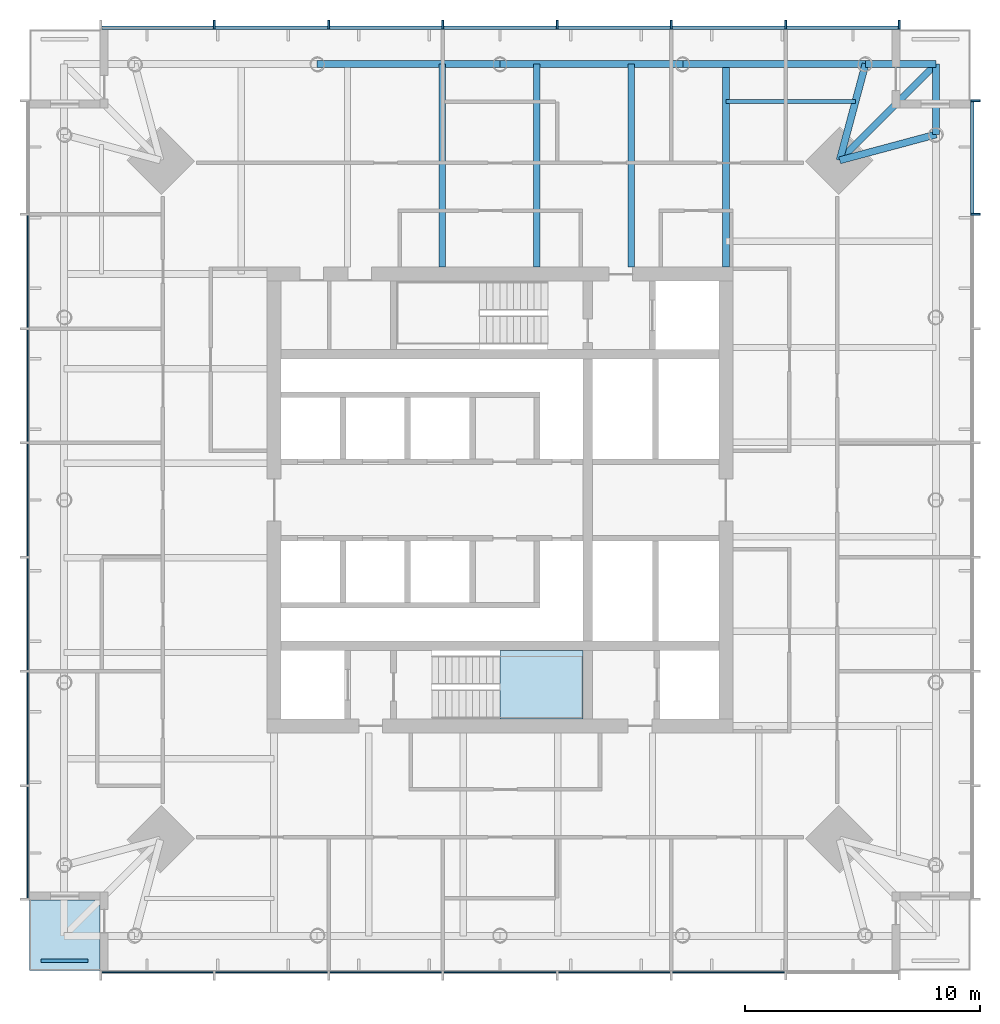
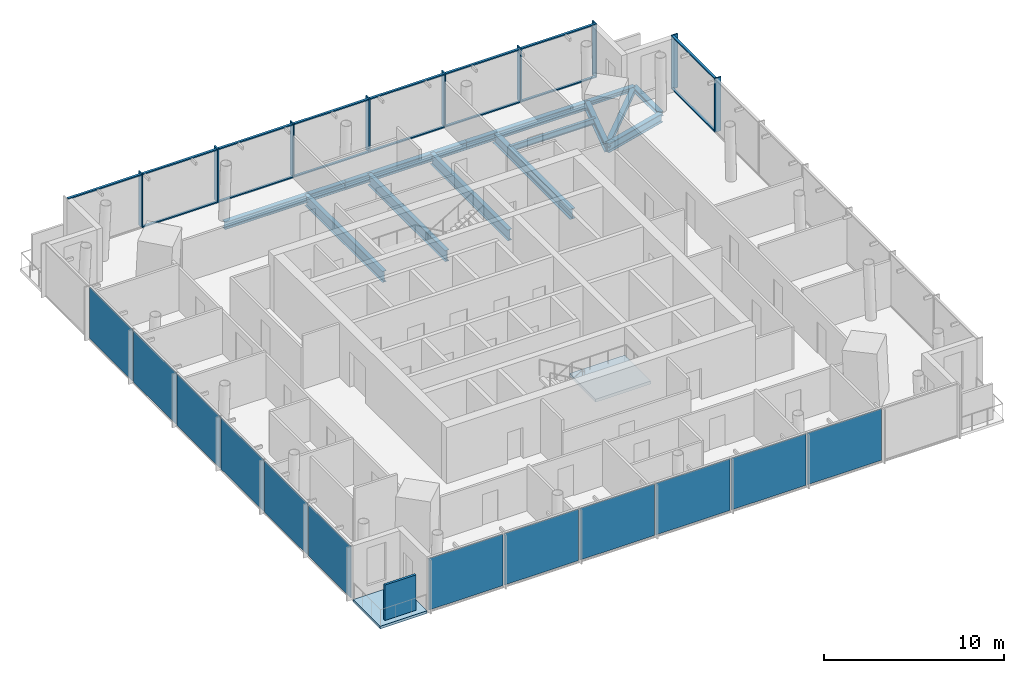
# One storey, part 3 of 9: 24 members, 13 beams, 13 plates, 2 slabs, 5 elements without a shape of their own.
"""IFC4 building model written with IfcOpenShell, lengths in metres."""

import ifcopenshell
import ifcopenshell.guid

model = None  # the IFC model being written
_history = None  # IfcOwnerHistory: only IFC2X3 demands one
_inside = {}  # id of a spatial element -> (the spatial element, [elements in it])
_under = {}  # id of a project, library or spatial element -> (it, [spatial elements below it])
_declared = {}  # id of a project -> (the project, [libraries it declares])
_typed = {}  # id of a type object -> (the type object, [elements of that type])
_made_of = {}  # id of a material, layer set ... -> (it, [elements and type objects made of it])


def new_model(schema):
    """Start an empty IFC model of exactly this schema.

    Asked for "IFC4X3", IfcOpenShell would pick the latest addendum, in which some entities
    have other attributes; the version numbers below select the first issue.
    IFC2X3 requires an IfcOwnerHistory on every rooted entity: one is made here for all.
    """
    global model, _history
    if schema == "IFC4X3":
        model = ifcopenshell.file(schema_version=(4, 3, 0, 0))
    else:
        model = ifcopenshell.file(schema=schema)
    _inside.clear()
    _under.clear()
    _declared.clear()
    _typed.clear()
    _made_of.clear()
    _history = None
    if model.schema == "IFC2X3":
        org = make("IfcOrganization", Name="unknown")
        user = make(
            "IfcPersonAndOrganization",
            ThePerson=make("IfcPerson", FamilyName="unknown"),
            TheOrganization=org,
        )
        app = make(
            "IfcApplication",
            ApplicationDeveloper=org,
            Version="unknown",
            ApplicationFullName="unknown",
            ApplicationIdentifier="unknown",
        )
        _history = make(
            "IfcOwnerHistory",
            OwningUser=user,
            OwningApplication=app,
            ChangeAction="ADDED",
            CreationDate=0,
        )
    return model


def make(cls, **values):
    """One entity of the class cls with the attributes given. An attribute that is None is left unset."""
    return model.create_entity(
        cls, **{name: value for name, value in values.items() if value is not None}
    )


def rooted(cls, **values):
    """An entity with a GlobalId (a new one), such as an element, a storey or a relation."""
    return make(cls, GlobalId=ifcopenshell.guid.new(), OwnerHistory=_history, **values)


def si_unit(unit_type, name, prefix=None):
    """IfcSIUnit, for example si_unit("LENGTHUNIT", "METRE", prefix="MILLI")."""
    return make("IfcSIUnit", UnitType=unit_type, Prefix=prefix, Name=name)


def assignment(units):
    """IfcUnitAssignment: the units of a project."""
    return None if units is None else make("IfcUnitAssignment", Units=units)


def point(xyz):
    """IfcCartesianPoint."""
    return None if xyz is None else make("IfcCartesianPoint", Coordinates=xyz)


def direction(xyz):
    """IfcDirection."""
    return None if xyz is None else make("IfcDirection", DirectionRatios=xyz)


def frame(location, z_axis=None, x_axis=None):
    """IfcAxis2Placement3D, a coordinate frame: its origin and axes. An axis left out is left unset."""
    return make(
        "IfcAxis2Placement3D",
        Location=point(location),
        Axis=direction(z_axis),
        RefDirection=direction(x_axis),
    )


def frame_2d(location, x_axis=None):
    """IfcAxis2Placement2D, a coordinate frame in the plane: its origin and x axis."""
    return make(
        "IfcAxis2Placement2D", Location=point(location), RefDirection=direction(x_axis)
    )


def origin():
    """The frame at (0, 0, 0) with its axes left unset."""
    return frame((0.0, 0.0, 0.0))


def origin_2d():
    """The frame at (0, 0) in the plane with its x axis left unset."""
    return frame_2d((0.0, 0.0))


def place(relative_to, where):
    """IfcLocalPlacement: puts the frame where relative to a parent placement (None: the world)."""
    return make(
        "IfcLocalPlacement", PlacementRelTo=relative_to, RelativePlacement=where
    )


def context(
    kind, dimensions, precision=None, world=None, true_north=None, identifier=None
):
    """IfcGeometricRepresentationContext, for example the 3D "Model" context."""
    return make(
        "IfcGeometricRepresentationContext",
        ContextIdentifier=identifier,
        ContextType=kind,
        CoordinateSpaceDimension=dimensions,
        Precision=precision,
        WorldCoordinateSystem=world,
        TrueNorth=true_north,
    )


def subcontext(parent, identifier, kind, view, scale=None):
    """IfcGeometricRepresentationSubContext, for example "Body" below "Model"."""
    return make(
        "IfcGeometricRepresentationSubContext",
        ContextIdentifier=identifier,
        ContextType=kind,
        ParentContext=parent,
        TargetScale=scale,
        TargetView=view,
    )


def project(units=None, contexts=None):
    """IfcProject with its units and contexts."""
    return rooted(
        "IfcProject",
        Name="project",
        RepresentationContexts=contexts,
        UnitsInContext=assignment(units),
    )


def spatial(cls, under=None, at=None, **own):
    """A site, building, storey or space (cls), placed at a placement, below another one or the project."""
    s = rooted(cls, ObjectPlacement=at, **own)
    if under is not None:
        _under.setdefault(under.id(), (under, []))[1].append(s)
    return s


def polyline(points):
    """IfcPolyline through the points."""
    return make("IfcPolyline", Points=[point(p) for p in points])


def profile(cls, at=None, kind="AREA", **sizes):
    """A parametric profile (cls). Its sizes go by their IFC names, for example OverallWidth=200.0."""
    return make(cls, ProfileType=kind, Position=at, **sizes)


def rectangle(**sizes):
    """IfcRectangleProfileDef."""
    return profile("IfcRectangleProfileDef", **sizes)


def i_section(**sizes):
    """IfcIShapeProfileDef."""
    return profile("IfcIShapeProfileDef", **sizes)


def outline(outer, holes=None, kind="AREA"):
    """IfcArbitraryClosedProfileDef: a profile drawn as a closed curve; with holes, ...WithVoids."""
    if holes is None:
        return make("IfcArbitraryClosedProfileDef", ProfileType=kind, OuterCurve=outer)
    return make(
        "IfcArbitraryProfileDefWithVoids",
        ProfileType=kind,
        OuterCurve=outer,
        InnerCurves=holes,
    )


def extrude(swept, where, along, depth):
    """IfcExtrudedAreaSolid: the profile swept, set in the frame where, extruded along a direction by depth."""
    return make(
        "IfcExtrudedAreaSolid",
        SweptArea=swept,
        Position=where,
        ExtrudedDirection=direction(along),
        Depth=depth,
    )


def shape(context_of_items, identifier, shape_type, items):
    """IfcShapeRepresentation: the items that make up one representation, for example the "Body"."""
    return make(
        "IfcShapeRepresentation",
        ContextOfItems=context_of_items,
        RepresentationIdentifier=identifier,
        RepresentationType=shape_type,
        Items=items,
    )


def material(Name=None, Category=None):
    """IfcMaterial."""
    return make("IfcMaterial", Name=Name, Category=Category)


def layer(
    of_material, thickness, ventilated=None, Name=None, Category=None, Priority=None
):
    """IfcMaterialLayer: one layer of a wall or slab, of a material (None: an air gap)."""
    return make(
        "IfcMaterialLayer",
        Material=of_material,
        LayerThickness=thickness,
        IsVentilated=ventilated,
        Name=Name,
        Category=Category,
        Priority=Priority,
    )


def layer_set(layers, Name=None):
    """IfcMaterialLayerSet."""
    return make("IfcMaterialLayerSet", MaterialLayers=layers, LayerSetName=Name)


def material_profile(
    of_material, cross_section, Name=None, Category=None, Priority=None
):
    """IfcMaterialProfile: a cross section and its material."""
    return make(
        "IfcMaterialProfile",
        Name=Name,
        Material=of_material,
        Profile=cross_section,
        Priority=Priority,
        Category=Category,
    )


def profile_set(profiles, Name=None, composite=None):
    """IfcMaterialProfileSet."""
    return make(
        "IfcMaterialProfileSet",
        Name=Name,
        MaterialProfiles=profiles,
        CompositeProfile=composite,
    )


def made_of(thing, what):
    """Note that an element or type object is made of a material, layer set ...; save() writes the relation."""
    if what is not None:
        _made_of.setdefault(what.id(), (what, []))[1].append(thing)
    return thing


def type_object(cls, material=None, **own):
    """A type object (cls), such as IfcWallType, which elements share."""
    return made_of(rooted(cls, **own), material)


def element(
    cls,
    number,
    at=None,
    inside=None,
    cuts=None,
    type_object=None,
    material=None,
    context=None,
    identifier="Body",
    shape_type=None,
    held_by="IfcProductDefinitionShape",
    body=None,
    shapes=None,
    **own,
):
    """One element of the class cls, such as IfcWall. Its Tag is "e" and its number.

    at: its placement. inside: the storey or other place that contains it. cuts: it is an
    opening in that element (IfcRelVoidsElement). A single representation is given by context,
    identifier, shape_type and body (its items); several are given by shapes. held_by: the class
    of the entity that holds the representations. save() writes the other relations.
    """
    e = rooted(cls, Tag="e%d" % number, ObjectPlacement=at, **own)
    if body is not None:
        shapes = [shape(context, identifier, shape_type, body)]
    if shapes is not None:
        e.Representation = make(held_by, Representations=shapes)
    if inside is not None:
        _inside.setdefault(inside.id(), (inside, []))[1].append(e)
    if cuts is not None:
        rooted(
            "IfcRelVoidsElement", RelatingBuildingElement=cuts, RelatedOpeningElement=e
        )
    if type_object is not None:
        _typed.setdefault(type_object.id(), (type_object, []))[1].append(e)
    return made_of(e, material)


def aggregate(whole, parts):
    """IfcRelAggregates: a whole, such as a stair, and the parts it consists of."""
    return rooted("IfcRelAggregates", RelatingObject=whole, RelatedObjects=parts)


def save(model, path):
    """Write the relations noted so far, then the file.

    IfcRelAggregates (storeys below a building ...), IfcRelContainedInSpatialStructure (elements
    in a storey), IfcRelDefinesByType, IfcRelAssociatesMaterial and IfcRelDeclares: one each for
    every whole, place, type object, material and project.
    """
    for whole, parts in _under.values():
        aggregate(whole, parts)
    for where, things in _inside.values():
        rooted(
            "IfcRelContainedInSpatialStructure",
            RelatedElements=things,
            RelatingStructure=where,
        )
    for kind, things in _typed.values():
        rooted("IfcRelDefinesByType", RelatedObjects=things, RelatingType=kind)
    for what, things in _made_of.values():
        rooted("IfcRelAssociatesMaterial", RelatedObjects=things, RelatingMaterial=what)
    for by, libraries in _declared.values():
        rooted("IfcRelDeclares", RelatingContext=by, RelatedDefinitions=libraries)
    model.write(path)


model = new_model("IFC4")

# Units and contexts
model_context = context("Model", 3, precision=1e-05, world=origin(), true_north=direction((0.0, 1.0)))
body_context = subcontext(model_context, "Body", "Model", "MODEL_VIEW")
ifc_project = project(units=[si_unit("LENGTHUNIT", "METRE"), si_unit("AREAUNIT", "SQUARE_METRE"), si_unit("VOLUMEUNIT", "CUBIC_METRE"), si_unit("PLANEANGLEUNIT", "RADIAN"), si_unit("MASSUNIT", "GRAM", prefix="KILO")], contexts=[model_context])

# Site, building, storey
site_placement = place(None, origin())
site = spatial("IfcSite", under=ifc_project, at=site_placement, CompositionType="ELEMENT")
building_placement = place(site_placement, origin())
building = spatial("IfcBuilding", under=site, at=building_placement, Name="Ostroluk Exchange", CompositionType="ELEMENT")
storey_placement = place(building_placement, frame((0.0, 0.0, 192.0)))
storey = spatial("IfcBuildingStorey", under=building, at=storey_placement, Name="L49", CompositionType="ELEMENT", Elevation=192.0)

# Beams
ifc_material_1 = material(Name="Steel S355", Category="steel")
ifc_material_profile_1 = material_profile(ifc_material_1, i_section(OverallWidth=0.300048828125, OverallDepth=0.300048828125, WebThickness=0.010986328125, FlangeThickness=0.01904296875, FilletRadius=0.027099609375, at=origin_2d()), Name="HEB 300")
ifc_profile_set_1 = profile_set([ifc_material_profile_1], Name="Steel S355")
beam_type_1 = type_object("IfcBeamType", Name="Balcony beam HEB 300", PredefinedType="BEAM", material=ifc_profile_set_1)
for number, where, z_axis, x_axis, name in (
    (1, (63.53564453125, 61.53564453125, -0.330078125), (0.0, 1.0, 0.0), (-1.0, 0.0, 0.0), "T1 east balcony beam a"),
    (2, (60.53564453125, 64.53564453125, -0.330078125), (1.0, 0.0, 0.0), (0.0, 1.0, 0.0), "T1 east balcony beam b"),
):
    element("IfcBeam", number, at=place(storey_placement, frame(where, z_axis=z_axis, x_axis=x_axis)), inside=storey, type_object=beam_type_1, Name=name, PredefinedType="BEAM", context=body_context, shape_type="SweptSolid", body=[
        extrude(i_section(OverallWidth=0.300048828125, OverallDepth=0.300048828125, WebThickness=0.010986328125, FlangeThickness=0.01904296875, FilletRadius=0.027099609375, at=origin_2d()), origin(), (0.0, 0.0, 1.0), 3.0),
    ])
beam_1_placement = place(storey_placement, frame((59.435791015625, 60.435791015625, -0.330078125), z_axis=(0.707106781187, 0.707106781187, 0.0), x_axis=(-0.707106781187, 0.707106781187, 0.0)))
element("IfcBeam", 3, at=beam_1_placement, inside=storey, type_object=beam_type_1, Name="T1 east balcony beam c", PredefinedType="BEAM", context=body_context, shape_type="SweptSolid", body=[
    extrude(i_section(OverallWidth=0.300048828125, OverallDepth=0.300048828125, WebThickness=0.010986328125, FlangeThickness=0.01904296875, FilletRadius=0.027099609375, at=origin_2d()), origin(), (0.0, 0.0, 1.0), 5.798095703125),
])
ifc_material_2 = material(Name="Steel S355", Category="steel")
ifc_material_profile_2 = material_profile(ifc_material_2, i_section(OverallWidth=0.300048828125, OverallDepth=0.60009765625, WebThickness=0.015380859375, FlangeThickness=0.030029296875, FilletRadius=0.027099609375, at=origin_2d()), Name="HEB 600")
ifc_profile_set_2 = profile_set([ifc_material_profile_2], Name="Steel S355")
beam_type_2 = type_object("IfcBeamType", Name="Corner edge beam HEB 600", PredefinedType="SPANDREL", material=ifc_profile_set_2)
for number, where, z_axis, x_axis, name in (
    (4, (59.435791015625, 60.435791015625, -0.47998046875), (0.965849156574, 0.259105011038, 0.0), (-0.259105011038, 0.965849156574, 0.0), "T1 east corner edge beam a"),
    (5, (59.435791015625, 60.435791015625, -0.47998046875), (0.259105011038, 0.965849156574, 0.0), (-0.965849156574, 0.259105011038, 0.0), "T1 east corner edge beam b"),
):
    element("IfcBeam", number, at=place(storey_placement, frame(where, z_axis=z_axis, x_axis=x_axis)), inside=storey, type_object=beam_type_2, Name=name, PredefinedType="SPANDREL", context=body_context, shape_type="SweptSolid", body=[
        extrude(i_section(OverallWidth=0.300048828125, OverallDepth=0.60009765625, WebThickness=0.015380859375, FlangeThickness=0.030029296875, FilletRadius=0.027099609375, at=origin_2d()), origin(), (0.0, 0.0, 1.0), 4.244873046875),
    ])
ifc_material_3 = material(Name="Steel S355", Category="steel")
ifc_material_profile_3 = material_profile(ifc_material_3, i_section(OverallWidth=0.179931640625, OverallDepth=0.39990234375, WebThickness=0.008544921875, FlangeThickness=0.013427734375, FilletRadius=0.02099609375, at=origin_2d()), Name="IPE 400")
ifc_profile_set_3 = profile_set([ifc_material_profile_3], Name="Steel S355")
beam_type_3 = type_object("IfcBeamType", Name="Floor beam IPE 400", PredefinedType="BEAM", material=ifc_profile_set_3)
beam_2_placement = place(storey_placement, frame((54.60009765625, 62.935791015625, -0.3798828125), z_axis=(1.0, 0.0, 0.0), x_axis=(0.0, 1.0, 0.0)))
element("IfcBeam", 6, at=beam_2_placement, inside=storey, type_object=beam_type_3, Name="T1 east floor beam 6", PredefinedType="BEAM", context=body_context, shape_type="SweptSolid", body=[
    extrude(i_section(OverallWidth=0.179931640625, OverallDepth=0.39990234375, WebThickness=0.008544921875, FlangeThickness=0.013427734375, FilletRadius=0.02099609375, at=origin_2d()), origin(), (0.0, 0.0, 1.0), 5.50634765625),
])
ifc_material_4 = material(Name="Steel S355", Category="steel")
ifc_material_profile_4 = material_profile(ifc_material_4, i_section(OverallWidth=0.264892578125, OverallDepth=0.7529296875, WebThickness=0.01318359375, FlangeThickness=0.01708984375, FilletRadius=0.01708984375, at=origin_2d()), Name="IPE 750x147")
ifc_profile_set_4 = profile_set([ifc_material_profile_4], Name="Steel S355")
beam_type_4 = type_object("IfcBeamType", Name="Floor beam IPE 750x147", PredefinedType="BEAM", material=ifc_profile_set_4)
for number, where, z_axis, x_axis, name in (
    (7, (50.58056640625, 55.89990234375, -0.556396484375), (0.0, 1.0, 0.0), (-1.0, 0.0, 0.0), "T1 north floor beam 1"),
    (8, (46.561279296875, 55.89990234375, -0.556396484375), (0.0, 1.0, 0.0), (-1.0, 0.0, 0.0), "T1 north floor beam 2"),
    (9, (42.541748046875, 55.89990234375, -0.556396484375), (0.0, 1.0, 0.0), (-1.0, 0.0, 0.0), "T1 north floor beam 3"),
):
    element("IfcBeam", number, at=place(storey_placement, frame(where, z_axis=z_axis, x_axis=x_axis)), inside=storey, type_object=beam_type_4, Name=name, PredefinedType="BEAM", context=body_context, shape_type="SweptSolid", body=[
        extrude(i_section(OverallWidth=0.264892578125, OverallDepth=0.7529296875, WebThickness=0.01318359375, FlangeThickness=0.01708984375, FilletRadius=0.01708984375, at=origin_2d()), origin(), (0.0, 0.0, 1.0), 8.6357421875),
    ])
ifc_material_5 = material(Name="Steel S355", Category="steel")
ifc_material_profile_5 = material_profile(ifc_material_5, i_section(OverallWidth=0.300048828125, OverallDepth=0.699951171875, WebThickness=0.01708984375, FlangeThickness=0.031982421875, FilletRadius=0.027099609375, at=origin_2d()), Name="HEB 700")
ifc_profile_set_5 = profile_set([ifc_material_profile_5], Name="Steel S355")
beam_type_5 = type_object("IfcBeamType", Name="Girder HEB 700", PredefinedType="BEAM", material=ifc_profile_set_5)
beam_3_placement = place(storey_placement, frame((54.60009765625, 55.89990234375, -0.530029296875), z_axis=(0.0, 1.0, 0.0), x_axis=(-1.0, 0.0, 0.0)))
element("IfcBeam", 10, at=beam_3_placement, inside=storey, type_object=beam_type_5, Name="T1 east girder", PredefinedType="BEAM", context=body_context, shape_type="SweptSolid", body=[
    extrude(i_section(OverallWidth=0.300048828125, OverallDepth=0.699951171875, WebThickness=0.01708984375, FlangeThickness=0.031982421875, FilletRadius=0.027099609375, at=origin_2d()), origin(), (0.0, 0.0, 1.0), 8.6357421875),
])
ifc_material_6 = material(Name="Steel S355", Category="steel")
ifc_material_profile_6 = material_profile(ifc_material_6, i_section(OverallWidth=0.300048828125, OverallDepth=0.5, WebThickness=0.014404296875, FlangeThickness=0.028076171875, FilletRadius=0.027099609375, at=origin_2d()), Name="HEB 500")
ifc_profile_set_6 = profile_set([ifc_material_profile_6], Name="Steel S355")
beam_type_6 = type_object("IfcBeamType", Name="Moment-connected edge beam HEB 500", PredefinedType="SPANDREL", material=ifc_profile_set_6)
for number, where, z_axis, x_axis, name in (
    (11, (60.53564453125, 64.53564453125, -0.429931640625), (-1.0, 0.0, 0.0), (0.0, -1.0, 0.0), "T1 north edge beam 1"),
    (12, (52.767822265625, 64.53564453125, -0.429931640625), (-1.0, 0.0, 0.0), (0.0, -1.0, 0.0), "T1 north edge beam 2"),
    (13, (45.0, 64.53564453125, -0.429931640625), (-1.0, 0.0, 0.0), (0.0, -1.0, 0.0), "T1 north edge beam 3"),
):
    element("IfcBeam", number, at=place(storey_placement, frame(where, z_axis=z_axis, x_axis=x_axis)), inside=storey, type_object=beam_type_6, Name=name, PredefinedType="SPANDREL", context=body_context, shape_type="SweptSolid", body=[
        extrude(i_section(OverallWidth=0.300048828125, OverallDepth=0.5, WebThickness=0.014404296875, FlangeThickness=0.028076171875, FilletRadius=0.027099609375, at=origin_2d()), origin(), (0.0, 0.0, 1.0), 7.767822265625),
    ])

# Curtain wall, members
ifc_material_7 = material(Name="Laminated clear glass", Category="glass")
curtain_wall_type = type_object("IfcCurtainWallType", Name="Office tower facade", PredefinedType="USERDEFINED", material=ifc_material_7)
curtain_wall_1_placement = place(storey_placement, origin())
curtain_wall_1 = element("IfcCurtainWall", 14, at=curtain_wall_1_placement, inside=storey, type_object=curtain_wall_type, Name="Office tower east facade L49", ObjectType="UNITISED CURTAIN WALL", PredefinedType="USERDEFINED")
ifc_material_8 = material(Name="Aluminium mullion", Category="aluminium")
ifc_material_profile_7 = material_profile(ifc_material_8, rectangle(XDim=0.14990234375, YDim=0.080078125, at=origin_2d()), Name="Sill transom 80 x 150")
ifc_profile_set_7 = profile_set([ifc_material_profile_7], Name="Aluminium mullion")
member_type_1 = type_object("IfcMemberType", Name="Sill transom 80 x 150", PredefinedType="USERDEFINED", material=ifc_profile_set_7)
member_1_placement = place(storey_placement, frame((65.074951171875, 58.182861328125, 0.0400390625), z_axis=(0.0, 1.0, 0.0), x_axis=(-1.0, 0.0, 0.0)))
member_1 = element("IfcMember", 15, at=member_1_placement, type_object=member_type_1, Name="CW-O1 transom 7.1", ObjectType="TRANSOM", PredefinedType="USERDEFINED", context=body_context, shape_type="SweptSolid", body=[
    extrude(rectangle(XDim=0.14990234375, YDim=0.080078125, at=origin_2d()), origin(), (0.0, 0.0, 1.0), 4.737060546875),
])
member_2_placement = place(storey_placement, frame((65.074951171875, 58.182861328125, 3.610107421875), z_axis=(0.0, 1.0, 0.0), x_axis=(-1.0, 0.0, 0.0)))
member_2 = element("IfcMember", 16, at=member_2_placement, type_object=member_type_1, Name="CW-O1 transom 7.2", ObjectType="TRANSOM", PredefinedType="USERDEFINED", context=body_context, shape_type="SweptSolid", body=[
    extrude(rectangle(XDim=0.14990234375, YDim=0.080078125, at=origin_2d()), origin(), (0.0, 0.0, 1.0), 4.737060546875),
])

curtain_wall_2_placement = place(storey_placement, origin())
curtain_wall_2 = element("IfcCurtainWall", 17, at=curtain_wall_2_placement, inside=storey, type_object=curtain_wall_type, Name="Office tower north facade L49", ObjectType="UNITISED CURTAIN WALL", PredefinedType="USERDEFINED")
member_3_placement = place(storey_placement, frame((61.919921875, 66.074951171875, 0.0400390625), z_axis=(-1.0, 0.0, 0.0), x_axis=(0.0, -1.0, 0.0)))
member_3 = element("IfcMember", 18, at=member_3_placement, type_object=member_type_1, Name="CW-O1 transom 1.1", ObjectType="TRANSOM", PredefinedType="USERDEFINED", context=body_context, shape_type="SweptSolid", body=[
    extrude(rectangle(XDim=0.14990234375, YDim=0.080078125, at=origin_2d()), origin(), (0.0, 0.0, 1.0), 4.737060546875),
])
member_4_placement = place(storey_placement, frame((61.919921875, 66.074951171875, 3.610107421875), z_axis=(-1.0, 0.0, 0.0), x_axis=(0.0, -1.0, 0.0)))
member_4 = element("IfcMember", 19, at=member_4_placement, type_object=member_type_1, Name="CW-O1 transom 1.2", ObjectType="TRANSOM", PredefinedType="USERDEFINED", context=body_context, shape_type="SweptSolid", body=[
    extrude(rectangle(XDim=0.14990234375, YDim=0.080078125, at=origin_2d()), origin(), (0.0, 0.0, 1.0), 4.737060546875),
])
member_5_placement = place(storey_placement, frame((57.102783203125, 66.074951171875, 0.0400390625), z_axis=(-1.0, 0.0, 0.0), x_axis=(0.0, -1.0, 0.0)))
member_5 = element("IfcMember", 20, at=member_5_placement, type_object=member_type_1, Name="CW-O1 transom 2.1", ObjectType="TRANSOM", PredefinedType="USERDEFINED", context=body_context, shape_type="SweptSolid", body=[
    extrude(rectangle(XDim=0.14990234375, YDim=0.080078125, at=origin_2d()), origin(), (0.0, 0.0, 1.0), 4.777099609375),
])
member_6_placement = place(storey_placement, frame((57.102783203125, 66.074951171875, 3.610107421875), z_axis=(-1.0, 0.0, 0.0), x_axis=(0.0, -1.0, 0.0)))
member_6 = element("IfcMember", 21, at=member_6_placement, type_object=member_type_1, Name="CW-O1 transom 2.2", ObjectType="TRANSOM", PredefinedType="USERDEFINED", context=body_context, shape_type="SweptSolid", body=[
    extrude(rectangle(XDim=0.14990234375, YDim=0.080078125, at=origin_2d()), origin(), (0.0, 0.0, 1.0), 4.777099609375),
])
member_7_placement = place(storey_placement, frame((52.24560546875, 66.074951171875, 0.0400390625), z_axis=(-1.0, 0.0, 0.0), x_axis=(0.0, -1.0, 0.0)))
member_7 = element("IfcMember", 22, at=member_7_placement, type_object=member_type_1, Name="CW-O1 transom 3.1", ObjectType="TRANSOM", PredefinedType="USERDEFINED", context=body_context, shape_type="SweptSolid", body=[
    extrude(rectangle(XDim=0.14990234375, YDim=0.080078125, at=origin_2d()), origin(), (0.0, 0.0, 1.0), 4.777099609375),
])
member_8_placement = place(storey_placement, frame((52.24560546875, 66.074951171875, 3.610107421875), z_axis=(-1.0, 0.0, 0.0), x_axis=(0.0, -1.0, 0.0)))
member_8 = element("IfcMember", 23, at=member_8_placement, type_object=member_type_1, Name="CW-O1 transom 3.2", ObjectType="TRANSOM", PredefinedType="USERDEFINED", context=body_context, shape_type="SweptSolid", body=[
    extrude(rectangle(XDim=0.14990234375, YDim=0.080078125, at=origin_2d()), origin(), (0.0, 0.0, 1.0), 4.777099609375),
])
member_9_placement = place(storey_placement, frame((47.388671875, 66.074951171875, 0.0400390625), z_axis=(-1.0, 0.0, 0.0), x_axis=(0.0, -1.0, 0.0)))
member_9 = element("IfcMember", 24, at=member_9_placement, type_object=member_type_1, Name="CW-O1 transom 4.1", ObjectType="TRANSOM", PredefinedType="USERDEFINED", context=body_context, shape_type="SweptSolid", body=[
    extrude(rectangle(XDim=0.14990234375, YDim=0.080078125, at=origin_2d()), origin(), (0.0, 0.0, 1.0), 4.77734375),
])
member_10_placement = place(storey_placement, frame((47.388671875, 66.074951171875, 3.610107421875), z_axis=(-1.0, 0.0, 0.0), x_axis=(0.0, -1.0, 0.0)))
member_10 = element("IfcMember", 25, at=member_10_placement, type_object=member_type_1, Name="CW-O1 transom 4.2", ObjectType="TRANSOM", PredefinedType="USERDEFINED", context=body_context, shape_type="SweptSolid", body=[
    extrude(rectangle(XDim=0.14990234375, YDim=0.080078125, at=origin_2d()), origin(), (0.0, 0.0, 1.0), 4.77734375),
])
member_11_placement = place(storey_placement, frame((42.531494140625, 66.074951171875, 0.0400390625), z_axis=(-1.0, 0.0, 0.0), x_axis=(0.0, -1.0, 0.0)))
member_11 = element("IfcMember", 26, at=member_11_placement, type_object=member_type_1, Name="CW-O1 transom 5.1", ObjectType="TRANSOM", PredefinedType="USERDEFINED", context=body_context, shape_type="SweptSolid", body=[
    extrude(rectangle(XDim=0.14990234375, YDim=0.080078125, at=origin_2d()), origin(), (0.0, 0.0, 1.0), 4.777099609375),
])
member_12_placement = place(storey_placement, frame((42.531494140625, 66.074951171875, 3.610107421875), z_axis=(-1.0, 0.0, 0.0), x_axis=(0.0, -1.0, 0.0)))
member_12 = element("IfcMember", 27, at=member_12_placement, type_object=member_type_1, Name="CW-O1 transom 5.2", ObjectType="TRANSOM", PredefinedType="USERDEFINED", context=body_context, shape_type="SweptSolid", body=[
    extrude(rectangle(XDim=0.14990234375, YDim=0.080078125, at=origin_2d()), origin(), (0.0, 0.0, 1.0), 4.777099609375),
])
member_13_placement = place(storey_placement, frame((37.67431640625, 66.074951171875, 0.0400390625), z_axis=(-1.0, 0.0, 0.0), x_axis=(0.0, -1.0, 0.0)))
member_13 = element("IfcMember", 28, at=member_13_placement, type_object=member_type_1, Name="CW-O1 transom 6.1", ObjectType="TRANSOM", PredefinedType="USERDEFINED", context=body_context, shape_type="SweptSolid", body=[
    extrude(rectangle(XDim=0.14990234375, YDim=0.080078125, at=origin_2d()), origin(), (0.0, 0.0, 1.0), 4.777099609375),
])
member_14_placement = place(storey_placement, frame((37.67431640625, 66.074951171875, 3.610107421875), z_axis=(-1.0, 0.0, 0.0), x_axis=(0.0, -1.0, 0.0)))
member_14 = element("IfcMember", 29, at=member_14_placement, type_object=member_type_1, Name="CW-O1 transom 6.2", ObjectType="TRANSOM", PredefinedType="USERDEFINED", context=body_context, shape_type="SweptSolid", body=[
    extrude(rectangle(XDim=0.14990234375, YDim=0.080078125, at=origin_2d()), origin(), (0.0, 0.0, 1.0), 4.777099609375),
])
member_15_placement = place(storey_placement, frame((32.817138671875, 66.074951171875, 3.610107421875), z_axis=(-1.0, 0.0, 0.0), x_axis=(0.0, -1.0, 0.0)))
member_15 = element("IfcMember", 30, at=member_15_placement, type_object=member_type_1, Name="CW-O1 transom 7.2", ObjectType="TRANSOM", PredefinedType="USERDEFINED", context=body_context, shape_type="SweptSolid", body=[
    extrude(rectangle(XDim=0.14990234375, YDim=0.080078125, at=origin_2d()), origin(), (0.0, 0.0, 1.0), 4.737060546875),
])

# Member
ifc_material_9 = material(Name="Aluminium mullion with limestone facing", Category="masonry")
ifc_material_profile_8 = material_profile(ifc_material_9, rectangle(XDim=0.39990234375, YDim=0.080078125, at=origin_2d()), Name="Tracery mullion 80 x 400")
ifc_profile_set_8 = profile_set([ifc_material_profile_8], Name="Aluminium mullion with limestone facing")
member_type_2 = type_object("IfcMemberType", Name="Tracery mullion 80 x 400", PredefinedType="MULLION", material=ifc_profile_set_8)
member_16_placement = place(storey_placement, frame((65.199951171875, 58.142822265625, 0.0), z_axis=(0.0, 0.0, 1.0), x_axis=(-1.0, 0.0, 0.0)))
member_16 = element("IfcMember", 31, at=member_16_placement, type_object=member_type_2, Name="CW-O1 mullion 7", PredefinedType="MULLION", context=body_context, shape_type="SweptSolid", body=[
    extrude(rectangle(XDim=0.39990234375, YDim=0.080078125, at=origin_2d()), origin(), (0.0, 0.0, 1.0), 3.64990234375),
])

member_17_placement = place(storey_placement, frame((65.199951171875, 62.9599609375, 0.0), z_axis=(0.0, 0.0, 1.0), x_axis=(-1.0, 0.0, 0.0)))
member_17 = element("IfcMember", 32, at=member_17_placement, type_object=member_type_2, Name="CW-O1 mullion 8", PredefinedType="MULLION", context=body_context, shape_type="SweptSolid", body=[
    extrude(rectangle(XDim=0.39990234375, YDim=0.080078125, at=origin_2d()), origin(), (0.0, 0.0, 1.0), 3.64990234375),
])

aggregate(curtain_wall_1, [member_16, member_17, member_1, member_2])

member_18_placement = place(storey_placement, frame((61.9599609375, 66.199951171875, 0.0), z_axis=(0.0, 0.0, 1.0), x_axis=(0.0, -1.0, 0.0)))
member_18 = element("IfcMember", 33, at=member_18_placement, type_object=member_type_2, Name="CW-O1 mullion 1", PredefinedType="MULLION", context=body_context, shape_type="SweptSolid", body=[
    extrude(rectangle(XDim=0.39990234375, YDim=0.080078125, at=origin_2d()), origin(), (0.0, 0.0, 1.0), 3.64990234375),
])

member_19_placement = place(storey_placement, frame((57.142822265625, 66.199951171875, 0.0), z_axis=(0.0, 0.0, 1.0), x_axis=(0.0, -1.0, 0.0)))
member_19 = element("IfcMember", 34, at=member_19_placement, type_object=member_type_2, Name="CW-O1 mullion 2", PredefinedType="MULLION", context=body_context, shape_type="SweptSolid", body=[
    extrude(rectangle(XDim=0.39990234375, YDim=0.080078125, at=origin_2d()), origin(), (0.0, 0.0, 1.0), 3.64990234375),
])

member_20_placement = place(storey_placement, frame((52.28564453125, 66.199951171875, 0.0), z_axis=(0.0, 0.0, 1.0), x_axis=(0.0, -1.0, 0.0)))
member_20 = element("IfcMember", 35, at=member_20_placement, type_object=member_type_2, Name="CW-O1 mullion 3", PredefinedType="MULLION", context=body_context, shape_type="SweptSolid", body=[
    extrude(rectangle(XDim=0.39990234375, YDim=0.080078125, at=origin_2d()), origin(), (0.0, 0.0, 1.0), 3.64990234375),
])

member_21_placement = place(storey_placement, frame((47.428466796875, 66.199951171875, 0.0), z_axis=(0.0, 0.0, 1.0), x_axis=(0.0, -1.0, 0.0)))
member_21 = element("IfcMember", 36, at=member_21_placement, type_object=member_type_2, Name="CW-O1 mullion 4", PredefinedType="MULLION", context=body_context, shape_type="SweptSolid", body=[
    extrude(rectangle(XDim=0.39990234375, YDim=0.080078125, at=origin_2d()), origin(), (0.0, 0.0, 1.0), 3.64990234375),
])

member_22_placement = place(storey_placement, frame((42.571533203125, 66.199951171875, 0.0), z_axis=(0.0, 0.0, 1.0), x_axis=(0.0, -1.0, 0.0)))
member_22 = element("IfcMember", 37, at=member_22_placement, type_object=member_type_2, Name="CW-O1 mullion 5", PredefinedType="MULLION", context=body_context, shape_type="SweptSolid", body=[
    extrude(rectangle(XDim=0.39990234375, YDim=0.080078125, at=origin_2d()), origin(), (0.0, 0.0, 1.0), 3.64990234375),
])

member_23_placement = place(storey_placement, frame((37.71435546875, 66.199951171875, 0.0), z_axis=(0.0, 0.0, 1.0), x_axis=(0.0, -1.0, 0.0)))
member_23 = element("IfcMember", 38, at=member_23_placement, type_object=member_type_2, Name="CW-O1 mullion 6", PredefinedType="MULLION", context=body_context, shape_type="SweptSolid", body=[
    extrude(rectangle(XDim=0.39990234375, YDim=0.080078125, at=origin_2d()), origin(), (0.0, 0.0, 1.0), 3.64990234375),
])

member_24_placement = place(storey_placement, frame((32.857177734375, 66.199951171875, 0.0), z_axis=(0.0, 0.0, 1.0), x_axis=(0.0, -1.0, 0.0)))
member_24 = element("IfcMember", 39, at=member_24_placement, type_object=member_type_2, Name="CW-O1 mullion 7", PredefinedType="MULLION", context=body_context, shape_type="SweptSolid", body=[
    extrude(rectangle(XDim=0.39990234375, YDim=0.080078125, at=origin_2d()), origin(), (0.0, 0.0, 1.0), 3.64990234375),
])

aggregate(curtain_wall_2, [member_18, member_19, member_20, member_21, member_22, member_23, member_24, member_3, member_4, member_5, member_6, member_7, member_8, member_9, member_10, member_11, member_12, member_13, member_14, member_15])

# Slab
ifc_material_10 = material(Name="Concrete C35/45", Category="concrete")
ifc_layer_1 = layer(ifc_material_10, 0.179931640625)
ifc_layer_set_1 = layer_set([ifc_layer_1], Name="Balcony slab 180")
slab_type_1 = type_object("IfcSlabType", Name="Balcony slab 180", PredefinedType="USERDEFINED", material=ifc_layer_set_1)
slab_1_placement = place(storey_placement, frame((0.0, 0.0, -0.179931640625)))
element("IfcSlab", 40, at=slab_1_placement, inside=storey, type_object=slab_type_1, Name="Office tower SW corner balcony L49", ObjectType="BALCONY", PredefinedType="USERDEFINED", context=body_context, shape_type="SweptSolid", body=[
    extrude(outline(polyline([(25.0, 26.0), (28.0, 26.0), (28.0, 29.0), (25.0, 29.0), (25.0, 26.0)])), origin(), (0.0, 0.0, 1.0), 0.179931640625),
])

# Plate
ifc_material_11 = material(Name="Steel S355 trellis with planting", Category="steel")
ifc_layer_2 = layer(ifc_material_11, 0.14990234375)
ifc_layer_set_2 = layer_set([ifc_layer_2], Name="Planted screen 150")
plate_type_1 = type_object("IfcPlateType", Name="Planted screen 150", PredefinedType="USERDEFINED", material=ifc_layer_set_2)
plate_1_placement = place(storey_placement, frame((26.5, 26.425048828125, 0.0), z_axis=(0.0, 0.0, 1.0), x_axis=(1.0, 0.0, 0.0)))
element("IfcPlate", 41, at=plate_1_placement, inside=storey, type_object=plate_type_1, Name="Office tower SW planted screen L49", ObjectType="PLANTED SCREEN", PredefinedType="USERDEFINED", context=body_context, shape_type="SweptSolid", body=[
    extrude(rectangle(XDim=2.0, YDim=0.14990234375, at=origin_2d()), origin(), (0.0, 0.0, 1.0), 2.39990234375),
])

# Stair, slab
ifc_material_12 = material(Name="Concrete C30/37", Category="concrete")
stair_type = type_object("IfcStairType", Name="Exit stair half turn 3800", PredefinedType="HALF_TURN_STAIR", material=ifc_material_12)
stair_placement = place(storey_placement, origin())
stair = element("IfcStair", 42, at=stair_placement, inside=storey, type_object=stair_type, Name="Stair T1-S1 L49", PredefinedType="HALF_TURN_STAIR")
ifc_material_13 = material(Name="Concrete C30/37", Category="concrete")
ifc_layer_3 = layer(ifc_material_13, 0.199951171875)
ifc_layer_set_3 = layer_set([ifc_layer_3], Name="Stair landing 200")
slab_type_2 = type_object("IfcSlabType", Name="Stair landing 200", PredefinedType="LANDING", material=ifc_layer_set_3)
slab_2_placement = place(storey_placement, frame((0.0, 0.0, 1.699951171875)))
slab_2 = element("IfcSlab", 43, at=slab_2_placement, type_object=slab_type_2, Name="T1-S1 landing 1", PredefinedType="LANDING", context=body_context, shape_type="SweptSolid", body=[
    extrude(outline(polyline([(45.0, 36.699951171875), (45.0, 39.60009765625), (48.530029296875, 39.60009765625), (48.530029296875, 36.699951171875), (45.0, 36.699951171875)])), origin(), (0.0, 0.0, 1.0), 0.199951171875),
])
aggregate(stair, [slab_2])

# Curtain wall, plates
curtain_wall_3_placement = place(storey_placement, origin())
curtain_wall_3 = element("IfcCurtainWall", 44, at=curtain_wall_3_placement, inside=storey, type_object=curtain_wall_type, Name="Office tower south facade L49", ObjectType="UNITISED CURTAIN WALL", PredefinedType="USERDEFINED")
ifc_material_14 = material(Name="Laminated clear glass", Category="glass")
ifc_layer_4 = layer(ifc_material_14, 0.0439453125)
ifc_layer_set_4 = layer_set([ifc_layer_4], Name="Triple laminated clear glazing 44")
plate_type_2 = type_object("IfcPlateType", Name="Triple laminated clear glazing 44", PredefinedType="CURTAIN_PANEL", material=ifc_layer_set_4)
plate_2_placement = place(storey_placement, frame((30.448486328125, 25.925048828125, 0.080078125), z_axis=(0.0, 0.0, 1.0), x_axis=(1.0, 0.0, 0.0)))
plate_2 = element("IfcPlate", 45, at=plate_2_placement, type_object=plate_type_2, Name="CW-O1 panel 1.1", PredefinedType="CURTAIN_PANEL", context=body_context, shape_type="SweptSolid", body=[
    extrude(rectangle(XDim=4.737060546875, YDim=0.0439453125, at=origin_2d()), origin(), (0.0, 0.0, 1.0), 3.489990234375),
])
plate_3_placement = place(storey_placement, frame((35.28564453125, 25.925048828125, 0.080078125), z_axis=(0.0, 0.0, 1.0), x_axis=(1.0, 0.0, 0.0)))
plate_3 = element("IfcPlate", 46, at=plate_3_placement, type_object=plate_type_2, Name="CW-O1 panel 2.1", PredefinedType="CURTAIN_PANEL", context=body_context, shape_type="SweptSolid", body=[
    extrude(rectangle(XDim=4.777099609375, YDim=0.0439453125, at=origin_2d()), origin(), (0.0, 0.0, 1.0), 3.489990234375),
])
plate_4_placement = place(storey_placement, frame((40.142822265625, 25.925048828125, 0.080078125), z_axis=(0.0, 0.0, 1.0), x_axis=(1.0, 0.0, 0.0)))
plate_4 = element("IfcPlate", 47, at=plate_4_placement, type_object=plate_type_2, Name="CW-O1 panel 3.1", PredefinedType="CURTAIN_PANEL", context=body_context, shape_type="SweptSolid", body=[
    extrude(rectangle(XDim=4.777099609375, YDim=0.0439453125, at=origin_2d()), origin(), (0.0, 0.0, 1.0), 3.489990234375),
])
plate_5_placement = place(storey_placement, frame((45.0, 25.925048828125, 0.080078125), z_axis=(0.0, 0.0, 1.0), x_axis=(1.0, 0.0, 0.0)))
plate_5 = element("IfcPlate", 48, at=plate_5_placement, type_object=plate_type_2, Name="CW-O1 panel 4.1", PredefinedType="CURTAIN_PANEL", context=body_context, shape_type="SweptSolid", body=[
    extrude(rectangle(XDim=4.777099609375, YDim=0.0439453125, at=origin_2d()), origin(), (0.0, 0.0, 1.0), 3.489990234375),
])
plate_6_placement = place(storey_placement, frame((49.857177734375, 25.925048828125, 0.080078125), z_axis=(0.0, 0.0, 1.0), x_axis=(1.0, 0.0, 0.0)))
plate_6 = element("IfcPlate", 49, at=plate_6_placement, type_object=plate_type_2, Name="CW-O1 panel 5.1", PredefinedType="CURTAIN_PANEL", context=body_context, shape_type="SweptSolid", body=[
    extrude(rectangle(XDim=4.777099609375, YDim=0.0439453125, at=origin_2d()), origin(), (0.0, 0.0, 1.0), 3.489990234375),
])
plate_7_placement = place(storey_placement, frame((54.71435546875, 25.925048828125, 0.080078125), z_axis=(0.0, 0.0, 1.0), x_axis=(1.0, 0.0, 0.0)))
plate_7 = element("IfcPlate", 50, at=plate_7_placement, type_object=plate_type_2, Name="CW-O1 panel 6.1", PredefinedType="CURTAIN_PANEL", context=body_context, shape_type="SweptSolid", body=[
    extrude(rectangle(XDim=4.777099609375, YDim=0.0439453125, at=origin_2d()), origin(), (0.0, 0.0, 1.0), 3.489990234375),
])
aggregate(curtain_wall_3, [plate_2, plate_3, plate_4, plate_5, plate_6, plate_7])

curtain_wall_4_placement = place(storey_placement, origin())
curtain_wall_4 = element("IfcCurtainWall", 51, at=curtain_wall_4_placement, inside=storey, type_object=curtain_wall_type, Name="Office tower west facade L49", ObjectType="UNITISED CURTAIN WALL", PredefinedType="USERDEFINED")
plate_8_placement = place(storey_placement, frame((24.925048828125, 55.71435546875, 0.080078125), z_axis=(0.0, 0.0, 1.0), x_axis=(0.0, -1.0, 0.0)))
plate_8 = element("IfcPlate", 52, at=plate_8_placement, type_object=plate_type_2, Name="CW-O1 panel 2.1", PredefinedType="CURTAIN_PANEL", context=body_context, shape_type="SweptSolid", body=[
    extrude(rectangle(XDim=4.777099609375, YDim=0.0439453125, at=origin_2d()), origin(), (0.0, 0.0, 1.0), 3.489990234375),
])
plate_9_placement = place(storey_placement, frame((24.925048828125, 50.857177734375, 0.080078125), z_axis=(0.0, 0.0, 1.0), x_axis=(0.0, -1.0, 0.0)))
plate_9 = element("IfcPlate", 53, at=plate_9_placement, type_object=plate_type_2, Name="CW-O1 panel 3.1", PredefinedType="CURTAIN_PANEL", context=body_context, shape_type="SweptSolid", body=[
    extrude(rectangle(XDim=4.777099609375, YDim=0.0439453125, at=origin_2d()), origin(), (0.0, 0.0, 1.0), 3.489990234375),
])
plate_10_placement = place(storey_placement, frame((24.925048828125, 46.0, 0.080078125), z_axis=(0.0, 0.0, 1.0), x_axis=(0.0, -1.0, 0.0)))
plate_10 = element("IfcPlate", 54, at=plate_10_placement, type_object=plate_type_2, Name="CW-O1 panel 4.1", PredefinedType="CURTAIN_PANEL", context=body_context, shape_type="SweptSolid", body=[
    extrude(rectangle(XDim=4.777099609375, YDim=0.0439453125, at=origin_2d()), origin(), (0.0, 0.0, 1.0), 3.489990234375),
])
plate_11_placement = place(storey_placement, frame((24.925048828125, 41.142822265625, 0.080078125), z_axis=(0.0, 0.0, 1.0), x_axis=(0.0, -1.0, 0.0)))
plate_11 = element("IfcPlate", 55, at=plate_11_placement, type_object=plate_type_2, Name="CW-O1 panel 5.1", PredefinedType="CURTAIN_PANEL", context=body_context, shape_type="SweptSolid", body=[
    extrude(rectangle(XDim=4.777099609375, YDim=0.0439453125, at=origin_2d()), origin(), (0.0, 0.0, 1.0), 3.489990234375),
])
plate_12_placement = place(storey_placement, frame((24.925048828125, 36.28564453125, 0.080078125), z_axis=(0.0, 0.0, 1.0), x_axis=(0.0, -1.0, 0.0)))
plate_12 = element("IfcPlate", 56, at=plate_12_placement, type_object=plate_type_2, Name="CW-O1 panel 6.1", PredefinedType="CURTAIN_PANEL", context=body_context, shape_type="SweptSolid", body=[
    extrude(rectangle(XDim=4.777099609375, YDim=0.0439453125, at=origin_2d()), origin(), (0.0, 0.0, 1.0), 3.489990234375),
])
plate_13_placement = place(storey_placement, frame((24.925048828125, 31.448486328125, 0.080078125), z_axis=(0.0, 0.0, 1.0), x_axis=(0.0, -1.0, 0.0)))
plate_13 = element("IfcPlate", 57, at=plate_13_placement, type_object=plate_type_2, Name="CW-O1 panel 7.1", PredefinedType="CURTAIN_PANEL", context=body_context, shape_type="SweptSolid", body=[
    extrude(rectangle(XDim=4.737060546875, YDim=0.0439453125, at=origin_2d()), origin(), (0.0, 0.0, 1.0), 3.489990234375),
])
aggregate(curtain_wall_4, [plate_8, plate_9, plate_10, plate_11, plate_12, plate_13])

save(model, "model.ifc")
